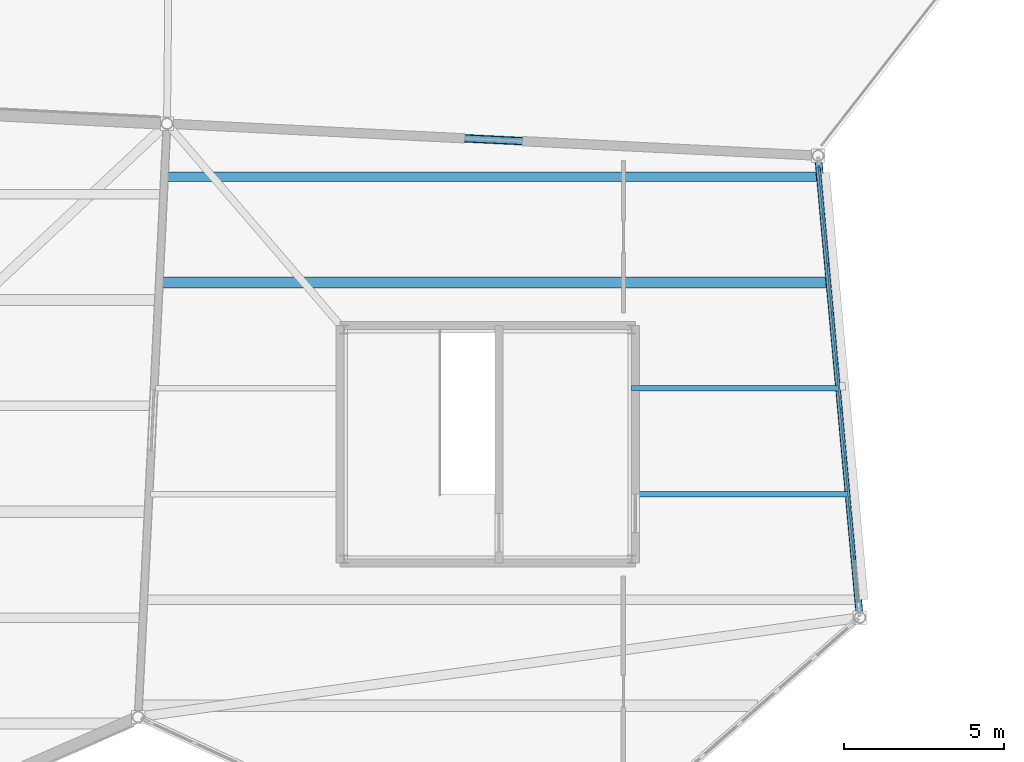
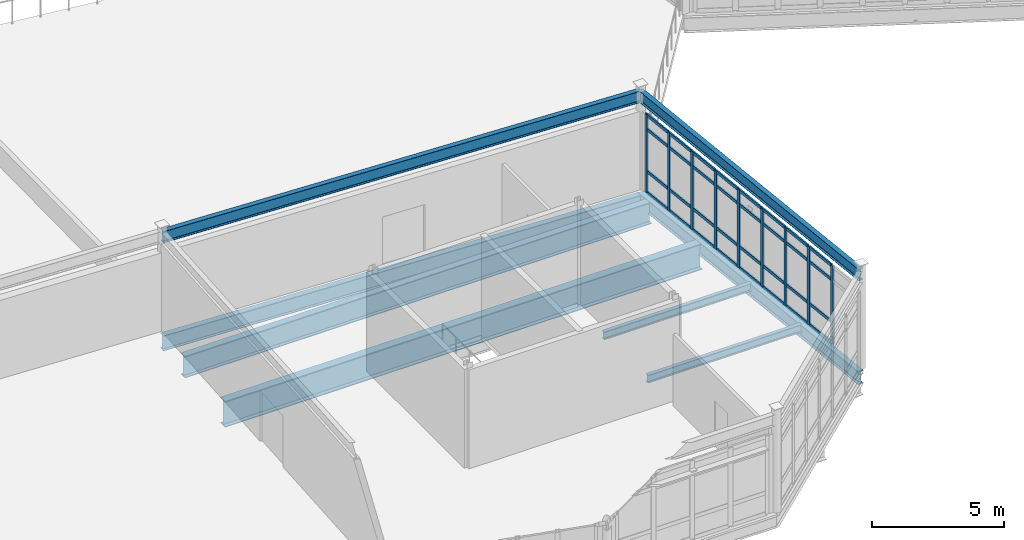
# One storey, part 25 of 114: 41 members, 8 beams, 1 element without a shape of its own.
"""IFC4 building model written with IfcOpenShell, lengths in metres."""

from ifc_helpers import new_model, si_unit, direction, frame, origin, origin_2d, place, context, subcontext, project, spatial, rectangle, i_section, extrude, material, material_profile, profile_set, type_object, element, aggregate, save


model = new_model("IFC4")

# Units and contexts
model_context = context("Model", 3, precision=1e-05, world=origin(), true_north=direction((0.0, 1.0)))
body_context = subcontext(model_context, "Body", "Model", "MODEL_VIEW")
ifc_project = project(units=[si_unit("LENGTHUNIT", "METRE"), si_unit("AREAUNIT", "SQUARE_METRE"), si_unit("VOLUMEUNIT", "CUBIC_METRE"), si_unit("PLANEANGLEUNIT", "RADIAN"), si_unit("MASSUNIT", "GRAM", prefix="KILO")], contexts=[model_context])

# Site, building, storey
site_placement = place(None, origin())
site = spatial("IfcSite", under=ifc_project, at=site_placement, CompositionType="ELEMENT")
building_placement = place(site_placement, origin())
building = spatial("IfcBuilding", under=site, at=building_placement, Name="Tameran Prism Museum", CompositionType="ELEMENT")
storey_placement = place(building_placement, frame((0.0, 0.0, 10.199951171875)))
storey = spatial("IfcBuildingStorey", under=building, at=storey_placement, Name="L02", CompositionType="ELEMENT", Elevation=10.199951171875)

# Beams
ifc_material_1 = material(Name="Steel Grade 300PLUS (300 MPa)", Category="steel")
ifc_material_profile_1 = material_profile(ifc_material_1, i_section(OverallWidth=0.172119140625, OverallDepth=0.35888671875, WebThickness=0.008056640625, FlangeThickness=0.012939453125, FilletRadius=0.011474609375, at=origin_2d()))
ifc_profile_set_1 = profile_set([ifc_material_profile_1])
beam_type_1 = type_object("IfcBeamType", Name="BM-J360A", PredefinedType="JOIST", material=ifc_profile_set_1)
beam_1_placement = place(storey_placement, frame((37.97998046875, 13.75, -0.37939453125), z_axis=(1.0, 0.0, 0.0), x_axis=(0.0, 1.0, 0.0)))
element("IfcBeam", 1, at=beam_1_placement, inside=storey, type_object=beam_type_1, Name="Floor Beam BM-0902", PredefinedType="JOIST", context=body_context, shape_type="SweptSolid", body=[
    extrude(i_section(OverallWidth=0.172119140625, OverallDepth=0.35888671875, WebThickness=0.008056640625, FlangeThickness=0.012939453125, FilletRadius=0.011474609375, at=origin_2d()), origin(), (0.0, 0.0, 1.0), 6.43408203125),
])
ifc_material_2 = material(Name="Steel Grade 300PLUS (300 MPa)", Category="steel")
ifc_material_profile_2 = material_profile(ifc_material_2, i_section(OverallWidth=0.1708984375, OverallDepth=0.35595703125, WebThickness=0.00732421875, FlangeThickness=0.011474609375, FilletRadius=0.011474609375, at=origin_2d()))
ifc_profile_set_2 = profile_set([ifc_material_profile_2])
beam_type_2 = type_object("IfcBeamType", Name="BM-J360B", PredefinedType="JOIST", material=ifc_profile_set_2)
beam_2_placement = place(storey_placement, frame((37.97998046875, 10.449951171875, -0.3779296875), z_axis=(1.0, 0.0, 0.0), x_axis=(0.0, 1.0, 0.0)))
element("IfcBeam", 2, at=beam_2_placement, inside=storey, type_object=beam_type_2, Name="Floor Beam BM-0900", PredefinedType="JOIST", context=body_context, shape_type="SweptSolid", body=[
    extrude(i_section(OverallWidth=0.1708984375, OverallDepth=0.35595703125, WebThickness=0.00732421875, FlangeThickness=0.011474609375, FilletRadius=0.011474609375, at=origin_2d()), origin(), (0.0, 0.0, 1.0), 6.73193359375),
])
ifc_material_3 = material(Name="Steel Grade 300PLUS (300 MPa)", Category="steel")
ifc_material_profile_3 = material_profile(ifc_material_3, i_section(OverallWidth=0.208984375, OverallDepth=0.528076171875, WebThickness=0.009521484375, FlangeThickness=0.01318359375, FilletRadius=0.013916015625, at=origin_2d()))
ifc_profile_set_3 = profile_set([ifc_material_profile_3])
beam_type_3 = type_object("IfcBeamType", Name="BM-SP530B", PredefinedType="SPANDREL", material=ifc_profile_set_3)
beam_3_placement = place(storey_placement, frame((45.10009765625, 6.60009765625, 4.256103515625), z_axis=(-0.089916080565, 0.995949345326, 0.0), x_axis=(-0.995949345326, -0.089916080565, 0.0)))
element("IfcBeam", 3, at=beam_3_placement, inside=storey, type_object=beam_type_3, Name="Roof Ring Beam RB-0726", PredefinedType="SPANDREL", context=body_context, shape_type="SweptSolid", body=[
    extrude(i_section(OverallWidth=0.208984375, OverallDepth=0.528076171875, WebThickness=0.009521484375, FlangeThickness=0.01318359375, FilletRadius=0.013916015625, at=origin_2d()), origin(), (0.0, 0.0, 1.0), 14.45849609375),
])
beam_4_placement = place(storey_placement, frame((43.800048828125, 21.0, 4.256103515625), z_axis=(-0.998788882418, 0.049201304434, 0.0), x_axis=(-0.049201304434, -0.998788882418, 0.0)))
element("IfcBeam", 4, at=beam_4_placement, inside=storey, type_object=beam_type_3, Name="Roof Ring Beam RB-0727", PredefinedType="SPANDREL", context=body_context, shape_type="SweptSolid", body=[
    extrude(i_section(OverallWidth=0.208984375, OverallDepth=0.528076171875, WebThickness=0.009521484375, FlangeThickness=0.01318359375, FilletRadius=0.013916015625, at=origin_2d()), origin(), (0.0, 0.0, 1.0), 20.32470703125),
])
ifc_material_4 = material(Name="Steel Grade 300PLUS (300 MPa)", Category="steel")
ifc_material_profile_4 = material_profile(ifc_material_4, i_section(OverallWidth=0.22802734375, OverallDepth=0.60205078125, WebThickness=0.010498046875, FlangeThickness=0.014892578125, FilletRadius=0.013916015625, at=origin_2d()))
ifc_profile_set_4 = profile_set([ifc_material_profile_4])
beam_type_4 = type_object("IfcBeamType", Name="BM-SP610", PredefinedType="SPANDREL", material=ifc_profile_set_4)
beam_5_placement = place(storey_placement, frame((45.10009765625, 6.60009765625, -0.5009765625), z_axis=(-0.089916080565, 0.995949345326, 0.0), x_axis=(-0.995949345326, -0.089916080565, 0.0)))
element("IfcBeam", 5, at=beam_5_placement, inside=storey, type_object=beam_type_4, Name="Perimeter Spandrel SP-0721", PredefinedType="SPANDREL", context=body_context, shape_type="SweptSolid", body=[
    extrude(i_section(OverallWidth=0.22802734375, OverallDepth=0.60205078125, WebThickness=0.010498046875, FlangeThickness=0.014892578125, FilletRadius=0.013916015625, at=origin_2d()), origin(), (0.0, 0.0, 1.0), 14.45849609375),
])
ifc_material_5 = material(Name="Steel Grade 350 (350 MPa)", Category="steel")
ifc_material_profile_5 = material_profile(ifc_material_5, i_section(OverallWidth=0.25, OverallDepth=0.699951171875, WebThickness=0.010009765625, FlangeThickness=0.02001953125, at=origin_2d()))
ifc_profile_set_5 = profile_set([ifc_material_profile_5])
beam_type_5 = type_object("IfcBeamType", Name="BM-SP700", PredefinedType="SPANDREL", material=ifc_profile_set_5)
beam_6_placement = place(storey_placement, frame((43.800048828125, 21.0, -0.6298828125), z_axis=(-0.998788882418, 0.049201304434, 0.0), x_axis=(-0.049201304434, -0.998788882418, 0.0)))
element("IfcBeam", 6, at=beam_6_placement, inside=storey, type_object=beam_type_5, Name="Perimeter Spandrel SP-0722", PredefinedType="SPANDREL", context=body_context, shape_type="SweptSolid", body=[
    extrude(i_section(OverallWidth=0.25, OverallDepth=0.699951171875, WebThickness=0.010009765625, FlangeThickness=0.02001953125, at=origin_2d()), origin(), (0.0, 0.0, 1.0), 20.32470703125),
])
ifc_material_6 = material(Name="Steel Grade 350 (350 MPa)", Category="steel")
ifc_material_profile_6 = material_profile(ifc_material_6, i_section(OverallWidth=0.300048828125, OverallDepth=1.0, WebThickness=0.01611328125, FlangeThickness=0.031982421875, at=origin_2d()))
ifc_profile_set_6 = profile_set([ifc_material_profile_6])
beam_type_6 = type_object("IfcBeamType", Name="BM-WB1000", PredefinedType="BEAM", material=ifc_profile_set_6)
beam_7_placement = place(storey_placement, frame((23.4599609375, 20.35009765625, -0.699951171875), z_axis=(1.0, 0.0, 0.0), x_axis=(0.0, 1.0, 0.0)))
element("IfcBeam", 7, at=beam_7_placement, inside=storey, type_object=beam_type_6, Name="Floor Beam BM-0904", PredefinedType="BEAM", context=body_context, shape_type="SweptSolid", body=[
    extrude(i_section(OverallWidth=0.300048828125, OverallDepth=1.0, WebThickness=0.01611328125, FlangeThickness=0.031982421875, at=origin_2d()), origin(), (0.0, 0.0, 1.0), 20.359130859375),
])
ifc_material_7 = material(Name="Steel Grade 350 (350 MPa)", Category="steel")
ifc_material_profile_7 = material_profile(ifc_material_7, i_section(OverallWidth=0.35009765625, OverallDepth=1.199951171875, WebThickness=0.01611328125, FlangeThickness=0.035888671875, at=origin_2d()))
ifc_profile_set_7 = profile_set([ifc_material_profile_7])
beam_type_7 = type_object("IfcBeamType", Name="BM-WB1200", PredefinedType="BEAM", material=ifc_profile_set_7)
beam_8_placement = place(storey_placement, frame((23.299072265625, 17.050048828125, -0.800048828125), z_axis=(1.0, 0.0, 0.0), x_axis=(0.0, 1.0, 0.0)))
element("IfcBeam", 8, at=beam_8_placement, inside=storey, type_object=beam_type_7, Name="Floor Beam BM-0903", PredefinedType="BEAM", context=body_context, shape_type="SweptSolid", body=[
    extrude(i_section(OverallWidth=0.35009765625, OverallDepth=1.199951171875, WebThickness=0.01611328125, FlangeThickness=0.035888671875, at=origin_2d()), origin(), (0.0, 0.0, 1.0), 20.81689453125),
])

# Curtain wall, members
ifc_material_8 = material(Name="Anodised Aluminium 6063-T6 and Cyclone Solar Glass", Category="aluminium")
curtain_wall_type = type_object("IfcCurtainWallType", Name="CW-FAC-1376x362", PredefinedType="USERDEFINED", material=ifc_material_8)
curtain_wall_placement = place(storey_placement, origin())
curtain_wall = element("IfcCurtainWall", 9, at=curtain_wall_placement, inside=storey, type_object=curtain_wall_type, Name="Unitised Curtain Wall CW-123", ObjectType="UNITISED CURTAIN WALL", PredefinedType="USERDEFINED")
ifc_material_9 = material(Name="Anodised Aluminium Alloy 6063-T6", Category="aluminium")
ifc_material_profile_8 = material_profile(ifc_material_9, rectangle(XDim=0.06494140625, YDim=0.159912109375, at=origin_2d()))
ifc_profile_set_8 = profile_set([ifc_material_profile_8])
member_type_1 = type_object("IfcMemberType", Name="CW-MUL-A", PredefinedType="MULLION", material=ifc_profile_set_8)
member_1_placement = place(storey_placement, frame((43.833984375, 20.61865234375, 0.0), z_axis=(0.0, 0.0, 1.0), x_axis=(0.995943100389, 0.089985225386, 0.0)))
member_1 = element("IfcMember", 10, at=member_1_placement, type_object=member_type_1, Name="CW-123 mullion 1", PredefinedType="MULLION", context=body_context, shape_type="SweptSolid", body=[
    extrude(rectangle(XDim=0.06494140625, YDim=0.159912109375, at=origin_2d()), origin(), (0.0, 0.0, 1.0), 3.6201171875),
])
member_2_placement = place(storey_placement, frame((43.968505859375, 19.128662109375, 0.0), z_axis=(0.0, 0.0, 1.0), x_axis=(0.995943100389, 0.089985225386, 0.0)))
member_2 = element("IfcMember", 11, at=member_2_placement, type_object=member_type_1, Name="CW-123 mullion 2", PredefinedType="MULLION", context=body_context, shape_type="SweptSolid", body=[
    extrude(rectangle(XDim=0.06494140625, YDim=0.159912109375, at=origin_2d()), origin(), (0.0, 0.0, 1.0), 3.6201171875),
])
member_3_placement = place(storey_placement, frame((44.106201171875, 17.606201171875, 0.0), z_axis=(0.0, 0.0, 1.0), x_axis=(0.995943100389, 0.089985225386, 0.0)))
member_3 = element("IfcMember", 12, at=member_3_placement, type_object=member_type_1, Name="CW-123 mullion 3", PredefinedType="MULLION", context=body_context, shape_type="SweptSolid", body=[
    extrude(rectangle(XDim=0.06494140625, YDim=0.159912109375, at=origin_2d()), origin(), (0.0, 0.0, 1.0), 3.6201171875),
])
member_4_placement = place(storey_placement, frame((44.24365234375, 16.083740234375, 0.0), z_axis=(0.0, 0.0, 1.0), x_axis=(0.995943100389, 0.089985225386, 0.0)))
member_4 = element("IfcMember", 13, at=member_4_placement, type_object=member_type_1, Name="CW-123 mullion 4", PredefinedType="MULLION", context=body_context, shape_type="SweptSolid", body=[
    extrude(rectangle(XDim=0.06494140625, YDim=0.159912109375, at=origin_2d()), origin(), (0.0, 0.0, 1.0), 3.6201171875),
])
member_5_placement = place(storey_placement, frame((44.381103515625, 14.561279296875, 0.0), z_axis=(0.0, 0.0, 1.0), x_axis=(0.995943100389, 0.089985225386, 0.0)))
member_5 = element("IfcMember", 14, at=member_5_placement, type_object=member_type_1, Name="CW-123 mullion 5", PredefinedType="MULLION", context=body_context, shape_type="SweptSolid", body=[
    extrude(rectangle(XDim=0.06494140625, YDim=0.159912109375, at=origin_2d()), origin(), (0.0, 0.0, 1.0), 3.6201171875),
])
member_6_placement = place(storey_placement, frame((44.518798828125, 13.038818359375, 0.0), z_axis=(0.0, 0.0, 1.0), x_axis=(0.995943100389, 0.089985225386, 0.0)))
member_6 = element("IfcMember", 15, at=member_6_placement, type_object=member_type_1, Name="CW-123 mullion 6", PredefinedType="MULLION", context=body_context, shape_type="SweptSolid", body=[
    extrude(rectangle(XDim=0.06494140625, YDim=0.159912109375, at=origin_2d()), origin(), (0.0, 0.0, 1.0), 3.6201171875),
])
member_7_placement = place(storey_placement, frame((44.65625, 11.516357421875, 0.0), z_axis=(0.0, 0.0, 1.0), x_axis=(0.995943100389, 0.089985225386, 0.0)))
member_7 = element("IfcMember", 16, at=member_7_placement, type_object=member_type_1, Name="CW-123 mullion 7", PredefinedType="MULLION", context=body_context, shape_type="SweptSolid", body=[
    extrude(rectangle(XDim=0.06494140625, YDim=0.159912109375, at=origin_2d()), origin(), (0.0, 0.0, 1.0), 3.6201171875),
])
member_8_placement = place(storey_placement, frame((44.7939453125, 9.993896484375, 0.0), z_axis=(0.0, 0.0, 1.0), x_axis=(0.995943100389, 0.089985225386, 0.0)))
member_8 = element("IfcMember", 17, at=member_8_placement, type_object=member_type_1, Name="CW-123 mullion 8", PredefinedType="MULLION", context=body_context, shape_type="SweptSolid", body=[
    extrude(rectangle(XDim=0.06494140625, YDim=0.159912109375, at=origin_2d()), origin(), (0.0, 0.0, 1.0), 3.6201171875),
])
member_9_placement = place(storey_placement, frame((44.931396484375, 8.471435546875, 0.0), z_axis=(0.0, 0.0, 1.0), x_axis=(0.995943100389, 0.089985225386, 0.0)))
member_9 = element("IfcMember", 18, at=member_9_placement, type_object=member_type_1, Name="CW-123 mullion 9", PredefinedType="MULLION", context=body_context, shape_type="SweptSolid", body=[
    extrude(rectangle(XDim=0.06494140625, YDim=0.159912109375, at=origin_2d()), origin(), (0.0, 0.0, 1.0), 3.6201171875),
])
ifc_material_10 = material(Name="Anodised Aluminium Alloy 6063-T6", Category="aluminium")
ifc_material_profile_9 = material_profile(ifc_material_10, rectangle(XDim=0.06494140625, YDim=0.139892578125, at=origin_2d()))
ifc_profile_set_9 = profile_set([ifc_material_profile_9])
member_type_2 = type_object("IfcMemberType", Name="CW-TRN-A", PredefinedType="USERDEFINED", material=ifc_profile_set_9)
member_10_placement = place(storey_placement, frame((43.8369140625, 20.586181640625, 0.032470703125), z_axis=(0.089905075125, -0.995950338856, 0.0), x_axis=(0.995950338856, 0.089905075125, 0.0)))
member_10 = element("IfcMember", 19, at=member_10_placement, type_object=member_type_2, Name="CW-123 transom 1.1", ObjectType="TRANSOM", PredefinedType="USERDEFINED", context=body_context, shape_type="SweptSolid", body=[
    extrude(rectangle(XDim=0.06494140625, YDim=0.139892578125, at=origin_2d()), origin(), (0.0, 0.0, 1.0), 1.43115234375),
])
member_11_placement = place(storey_placement, frame((43.8369140625, 20.586181640625, 1.0), z_axis=(0.089905075125, -0.995950338856, 0.0), x_axis=(0.995950338856, 0.089905075125, 0.0)))
member_11 = element("IfcMember", 20, at=member_11_placement, type_object=member_type_2, Name="CW-123 transom 1.2", ObjectType="TRANSOM", PredefinedType="USERDEFINED", context=body_context, shape_type="SweptSolid", body=[
    extrude(rectangle(XDim=0.06494140625, YDim=0.139892578125, at=origin_2d()), origin(), (0.0, 0.0, 1.0), 1.43115234375),
])
member_12_placement = place(storey_placement, frame((43.8369140625, 20.586181640625, 2.93994140625), z_axis=(0.089905075125, -0.995950338856, 0.0), x_axis=(0.995950338856, 0.089905075125, 0.0)))
member_12 = element("IfcMember", 21, at=member_12_placement, type_object=member_type_2, Name="CW-123 transom 1.3", ObjectType="TRANSOM", PredefinedType="USERDEFINED", context=body_context, shape_type="SweptSolid", body=[
    extrude(rectangle(XDim=0.06494140625, YDim=0.139892578125, at=origin_2d()), origin(), (0.0, 0.0, 1.0), 1.43115234375),
])
member_13_placement = place(storey_placement, frame((43.8369140625, 20.586181640625, 3.587646484375), z_axis=(0.089905075125, -0.995950338856, 0.0), x_axis=(0.995950338856, 0.089905075125, 0.0)))
member_13 = element("IfcMember", 22, at=member_13_placement, type_object=member_type_2, Name="CW-123 transom 1.4", ObjectType="TRANSOM", PredefinedType="USERDEFINED", context=body_context, shape_type="SweptSolid", body=[
    extrude(rectangle(XDim=0.06494140625, YDim=0.139892578125, at=origin_2d()), origin(), (0.0, 0.0, 1.0), 1.43115234375),
])
member_14_placement = place(storey_placement, frame((43.971435546875, 19.09619140625, 0.032470703125), z_axis=(0.090069529239, -0.995935479789, 0.0), x_axis=(0.995935479789, 0.090069529239, 0.0)))
member_14 = element("IfcMember", 23, at=member_14_placement, type_object=member_type_2, Name="CW-123 transom 2.1", ObjectType="TRANSOM", PredefinedType="USERDEFINED", context=body_context, shape_type="SweptSolid", body=[
    extrude(rectangle(XDim=0.06494140625, YDim=0.139892578125, at=origin_2d()), origin(), (0.0, 0.0, 1.0), 1.463623046875),
])
member_15_placement = place(storey_placement, frame((43.971435546875, 19.09619140625, 1.0), z_axis=(0.090069529239, -0.995935479789, 0.0), x_axis=(0.995935479789, 0.090069529239, 0.0)))
member_15 = element("IfcMember", 24, at=member_15_placement, type_object=member_type_2, Name="CW-123 transom 2.2", ObjectType="TRANSOM", PredefinedType="USERDEFINED", context=body_context, shape_type="SweptSolid", body=[
    extrude(rectangle(XDim=0.06494140625, YDim=0.139892578125, at=origin_2d()), origin(), (0.0, 0.0, 1.0), 1.463623046875),
])
member_16_placement = place(storey_placement, frame((43.971435546875, 19.09619140625, 2.93994140625), z_axis=(0.090069529239, -0.995935479789, 0.0), x_axis=(0.995935479789, 0.090069529239, 0.0)))
member_16 = element("IfcMember", 25, at=member_16_placement, type_object=member_type_2, Name="CW-123 transom 2.3", ObjectType="TRANSOM", PredefinedType="USERDEFINED", context=body_context, shape_type="SweptSolid", body=[
    extrude(rectangle(XDim=0.06494140625, YDim=0.139892578125, at=origin_2d()), origin(), (0.0, 0.0, 1.0), 1.463623046875),
])
member_17_placement = place(storey_placement, frame((43.971435546875, 19.09619140625, 3.587646484375), z_axis=(0.090069529239, -0.995935479789, 0.0), x_axis=(0.995935479789, 0.090069529239, 0.0)))
member_17 = element("IfcMember", 26, at=member_17_placement, type_object=member_type_2, Name="CW-123 transom 2.4", ObjectType="TRANSOM", PredefinedType="USERDEFINED", context=body_context, shape_type="SweptSolid", body=[
    extrude(rectangle(XDim=0.06494140625, YDim=0.139892578125, at=origin_2d()), origin(), (0.0, 0.0, 1.0), 1.463623046875),
])
member_18_placement = place(storey_placement, frame((44.109130859375, 17.57373046875, 0.032470703125), z_axis=(0.08990408322, -0.995950428395, 0.0), x_axis=(0.995950428395, 0.08990408322, 0.0)))
member_18 = element("IfcMember", 27, at=member_18_placement, type_object=member_type_2, Name="CW-123 transom 3.1", ObjectType="TRANSOM", PredefinedType="USERDEFINED", context=body_context, shape_type="SweptSolid", body=[
    extrude(rectangle(XDim=0.06494140625, YDim=0.139892578125, at=origin_2d()), origin(), (0.0, 0.0, 1.0), 1.463623046875),
])
member_19_placement = place(storey_placement, frame((44.109130859375, 17.57373046875, 1.0), z_axis=(0.08990408322, -0.995950428395, 0.0), x_axis=(0.995950428395, 0.08990408322, 0.0)))
member_19 = element("IfcMember", 28, at=member_19_placement, type_object=member_type_2, Name="CW-123 transom 3.2", ObjectType="TRANSOM", PredefinedType="USERDEFINED", context=body_context, shape_type="SweptSolid", body=[
    extrude(rectangle(XDim=0.06494140625, YDim=0.139892578125, at=origin_2d()), origin(), (0.0, 0.0, 1.0), 1.463623046875),
])
member_20_placement = place(storey_placement, frame((44.109130859375, 17.57373046875, 2.93994140625), z_axis=(0.08990408322, -0.995950428395, 0.0), x_axis=(0.995950428395, 0.08990408322, 0.0)))
member_20 = element("IfcMember", 29, at=member_20_placement, type_object=member_type_2, Name="CW-123 transom 3.3", ObjectType="TRANSOM", PredefinedType="USERDEFINED", context=body_context, shape_type="SweptSolid", body=[
    extrude(rectangle(XDim=0.06494140625, YDim=0.139892578125, at=origin_2d()), origin(), (0.0, 0.0, 1.0), 1.463623046875),
])
member_21_placement = place(storey_placement, frame((44.109130859375, 17.57373046875, 3.587646484375), z_axis=(0.08990408322, -0.995950428395, 0.0), x_axis=(0.995950428395, 0.08990408322, 0.0)))
member_21 = element("IfcMember", 30, at=member_21_placement, type_object=member_type_2, Name="CW-123 transom 3.4", ObjectType="TRANSOM", PredefinedType="USERDEFINED", context=body_context, shape_type="SweptSolid", body=[
    extrude(rectangle(XDim=0.06494140625, YDim=0.139892578125, at=origin_2d()), origin(), (0.0, 0.0, 1.0), 1.463623046875),
])
member_22_placement = place(storey_placement, frame((44.24658203125, 16.05126953125, 0.032470703125), z_axis=(0.090069529239, -0.995935479789, 0.0), x_axis=(0.995935479789, 0.090069529239, 0.0)))
member_22 = element("IfcMember", 31, at=member_22_placement, type_object=member_type_2, Name="CW-123 transom 4.1", ObjectType="TRANSOM", PredefinedType="USERDEFINED", context=body_context, shape_type="SweptSolid", body=[
    extrude(rectangle(XDim=0.06494140625, YDim=0.139892578125, at=origin_2d()), origin(), (0.0, 0.0, 1.0), 1.463623046875),
])
member_23_placement = place(storey_placement, frame((44.24658203125, 16.05126953125, 1.0), z_axis=(0.090069529239, -0.995935479789, 0.0), x_axis=(0.995935479789, 0.090069529239, 0.0)))
member_23 = element("IfcMember", 32, at=member_23_placement, type_object=member_type_2, Name="CW-123 transom 4.2", ObjectType="TRANSOM", PredefinedType="USERDEFINED", context=body_context, shape_type="SweptSolid", body=[
    extrude(rectangle(XDim=0.06494140625, YDim=0.139892578125, at=origin_2d()), origin(), (0.0, 0.0, 1.0), 1.463623046875),
])
member_24_placement = place(storey_placement, frame((44.24658203125, 16.05126953125, 2.93994140625), z_axis=(0.090069529239, -0.995935479789, 0.0), x_axis=(0.995935479789, 0.090069529239, 0.0)))
member_24 = element("IfcMember", 33, at=member_24_placement, type_object=member_type_2, Name="CW-123 transom 4.3", ObjectType="TRANSOM", PredefinedType="USERDEFINED", context=body_context, shape_type="SweptSolid", body=[
    extrude(rectangle(XDim=0.06494140625, YDim=0.139892578125, at=origin_2d()), origin(), (0.0, 0.0, 1.0), 1.463623046875),
])
member_25_placement = place(storey_placement, frame((44.24658203125, 16.05126953125, 3.587646484375), z_axis=(0.090069529239, -0.995935479789, 0.0), x_axis=(0.995935479789, 0.090069529239, 0.0)))
member_25 = element("IfcMember", 34, at=member_25_placement, type_object=member_type_2, Name="CW-123 transom 4.4", ObjectType="TRANSOM", PredefinedType="USERDEFINED", context=body_context, shape_type="SweptSolid", body=[
    extrude(rectangle(XDim=0.06494140625, YDim=0.139892578125, at=origin_2d()), origin(), (0.0, 0.0, 1.0), 1.463623046875),
])
member_26_placement = place(storey_placement, frame((44.384033203125, 14.52880859375, 0.032470703125), z_axis=(0.090069529239, -0.995935479789, 0.0), x_axis=(0.995935479789, 0.090069529239, 0.0)))
member_26 = element("IfcMember", 35, at=member_26_placement, type_object=member_type_2, Name="CW-123 transom 5.1", ObjectType="TRANSOM", PredefinedType="USERDEFINED", context=body_context, shape_type="SweptSolid", body=[
    extrude(rectangle(XDim=0.06494140625, YDim=0.139892578125, at=origin_2d()), origin(), (0.0, 0.0, 1.0), 1.463623046875),
])
member_27_placement = place(storey_placement, frame((44.384033203125, 14.52880859375, 1.0), z_axis=(0.090069529239, -0.995935479789, 0.0), x_axis=(0.995935479789, 0.090069529239, 0.0)))
member_27 = element("IfcMember", 36, at=member_27_placement, type_object=member_type_2, Name="CW-123 transom 5.2", ObjectType="TRANSOM", PredefinedType="USERDEFINED", context=body_context, shape_type="SweptSolid", body=[
    extrude(rectangle(XDim=0.06494140625, YDim=0.139892578125, at=origin_2d()), origin(), (0.0, 0.0, 1.0), 1.463623046875),
])
member_28_placement = place(storey_placement, frame((44.384033203125, 14.52880859375, 2.93994140625), z_axis=(0.090069529239, -0.995935479789, 0.0), x_axis=(0.995935479789, 0.090069529239, 0.0)))
member_28 = element("IfcMember", 37, at=member_28_placement, type_object=member_type_2, Name="CW-123 transom 5.3", ObjectType="TRANSOM", PredefinedType="USERDEFINED", context=body_context, shape_type="SweptSolid", body=[
    extrude(rectangle(XDim=0.06494140625, YDim=0.139892578125, at=origin_2d()), origin(), (0.0, 0.0, 1.0), 1.463623046875),
])
member_29_placement = place(storey_placement, frame((44.384033203125, 14.52880859375, 3.587646484375), z_axis=(0.090069529239, -0.995935479789, 0.0), x_axis=(0.995935479789, 0.090069529239, 0.0)))
member_29 = element("IfcMember", 38, at=member_29_placement, type_object=member_type_2, Name="CW-123 transom 5.4", ObjectType="TRANSOM", PredefinedType="USERDEFINED", context=body_context, shape_type="SweptSolid", body=[
    extrude(rectangle(XDim=0.06494140625, YDim=0.139892578125, at=origin_2d()), origin(), (0.0, 0.0, 1.0), 1.463623046875),
])
member_30_placement = place(storey_placement, frame((44.521728515625, 13.00634765625, 0.032470703125), z_axis=(0.08990408322, -0.995950428395, 0.0), x_axis=(0.995950428395, 0.08990408322, 0.0)))
member_30 = element("IfcMember", 39, at=member_30_placement, type_object=member_type_2, Name="CW-123 transom 6.1", ObjectType="TRANSOM", PredefinedType="USERDEFINED", context=body_context, shape_type="SweptSolid", body=[
    extrude(rectangle(XDim=0.06494140625, YDim=0.139892578125, at=origin_2d()), origin(), (0.0, 0.0, 1.0), 1.463623046875),
])
member_31_placement = place(storey_placement, frame((44.521728515625, 13.00634765625, 1.0), z_axis=(0.08990408322, -0.995950428395, 0.0), x_axis=(0.995950428395, 0.08990408322, 0.0)))
member_31 = element("IfcMember", 40, at=member_31_placement, type_object=member_type_2, Name="CW-123 transom 6.2", ObjectType="TRANSOM", PredefinedType="USERDEFINED", context=body_context, shape_type="SweptSolid", body=[
    extrude(rectangle(XDim=0.06494140625, YDim=0.139892578125, at=origin_2d()), origin(), (0.0, 0.0, 1.0), 1.463623046875),
])
member_32_placement = place(storey_placement, frame((44.521728515625, 13.00634765625, 2.93994140625), z_axis=(0.08990408322, -0.995950428395, 0.0), x_axis=(0.995950428395, 0.08990408322, 0.0)))
member_32 = element("IfcMember", 41, at=member_32_placement, type_object=member_type_2, Name="CW-123 transom 6.3", ObjectType="TRANSOM", PredefinedType="USERDEFINED", context=body_context, shape_type="SweptSolid", body=[
    extrude(rectangle(XDim=0.06494140625, YDim=0.139892578125, at=origin_2d()), origin(), (0.0, 0.0, 1.0), 1.463623046875),
])
member_33_placement = place(storey_placement, frame((44.521728515625, 13.00634765625, 3.587646484375), z_axis=(0.08990408322, -0.995950428395, 0.0), x_axis=(0.995950428395, 0.08990408322, 0.0)))
member_33 = element("IfcMember", 42, at=member_33_placement, type_object=member_type_2, Name="CW-123 transom 6.4", ObjectType="TRANSOM", PredefinedType="USERDEFINED", context=body_context, shape_type="SweptSolid", body=[
    extrude(rectangle(XDim=0.06494140625, YDim=0.139892578125, at=origin_2d()), origin(), (0.0, 0.0, 1.0), 1.463623046875),
])
member_34_placement = place(storey_placement, frame((44.6591796875, 11.48388671875, 0.032470703125), z_axis=(0.090084493838, -0.995934126321, 0.0), x_axis=(0.995934126321, 0.090084493838, 0.0)))
member_34 = element("IfcMember", 43, at=member_34_placement, type_object=member_type_2, Name="CW-123 transom 7.1", ObjectType="TRANSOM", PredefinedType="USERDEFINED", context=body_context, shape_type="SweptSolid", body=[
    extrude(rectangle(XDim=0.06494140625, YDim=0.139892578125, at=origin_2d()), origin(), (0.0, 0.0, 1.0), 1.46337890625),
])
member_35_placement = place(storey_placement, frame((44.6591796875, 11.48388671875, 1.0), z_axis=(0.090084493838, -0.995934126321, 0.0), x_axis=(0.995934126321, 0.090084493838, 0.0)))
member_35 = element("IfcMember", 44, at=member_35_placement, type_object=member_type_2, Name="CW-123 transom 7.2", ObjectType="TRANSOM", PredefinedType="USERDEFINED", context=body_context, shape_type="SweptSolid", body=[
    extrude(rectangle(XDim=0.06494140625, YDim=0.139892578125, at=origin_2d()), origin(), (0.0, 0.0, 1.0), 1.46337890625),
])
member_36_placement = place(storey_placement, frame((44.6591796875, 11.48388671875, 2.93994140625), z_axis=(0.090084493838, -0.995934126321, 0.0), x_axis=(0.995934126321, 0.090084493838, 0.0)))
member_36 = element("IfcMember", 45, at=member_36_placement, type_object=member_type_2, Name="CW-123 transom 7.3", ObjectType="TRANSOM", PredefinedType="USERDEFINED", context=body_context, shape_type="SweptSolid", body=[
    extrude(rectangle(XDim=0.06494140625, YDim=0.139892578125, at=origin_2d()), origin(), (0.0, 0.0, 1.0), 1.46337890625),
])
member_37_placement = place(storey_placement, frame((44.6591796875, 11.48388671875, 3.587646484375), z_axis=(0.090084493838, -0.995934126321, 0.0), x_axis=(0.995934126321, 0.090084493838, 0.0)))
member_37 = element("IfcMember", 46, at=member_37_placement, type_object=member_type_2, Name="CW-123 transom 7.4", ObjectType="TRANSOM", PredefinedType="USERDEFINED", context=body_context, shape_type="SweptSolid", body=[
    extrude(rectangle(XDim=0.06494140625, YDim=0.139892578125, at=origin_2d()), origin(), (0.0, 0.0, 1.0), 1.46337890625),
])
member_38_placement = place(storey_placement, frame((44.796875, 9.96142578125, 0.032470703125), z_axis=(0.089919020779, -0.995949079874, 0.0), x_axis=(0.995949079874, 0.089919020779, 0.0)))
member_38 = element("IfcMember", 47, at=member_38_placement, type_object=member_type_2, Name="CW-123 transom 8.1", ObjectType="TRANSOM", PredefinedType="USERDEFINED", context=body_context, shape_type="SweptSolid", body=[
    extrude(rectangle(XDim=0.06494140625, YDim=0.139892578125, at=origin_2d()), origin(), (0.0, 0.0, 1.0), 1.46337890625),
])
member_39_placement = place(storey_placement, frame((44.796875, 9.96142578125, 1.0), z_axis=(0.089919020779, -0.995949079874, 0.0), x_axis=(0.995949079874, 0.089919020779, 0.0)))
member_39 = element("IfcMember", 48, at=member_39_placement, type_object=member_type_2, Name="CW-123 transom 8.2", ObjectType="TRANSOM", PredefinedType="USERDEFINED", context=body_context, shape_type="SweptSolid", body=[
    extrude(rectangle(XDim=0.06494140625, YDim=0.139892578125, at=origin_2d()), origin(), (0.0, 0.0, 1.0), 1.46337890625),
])
member_40_placement = place(storey_placement, frame((44.796875, 9.96142578125, 2.93994140625), z_axis=(0.089919020779, -0.995949079874, 0.0), x_axis=(0.995949079874, 0.089919020779, 0.0)))
member_40 = element("IfcMember", 49, at=member_40_placement, type_object=member_type_2, Name="CW-123 transom 8.3", ObjectType="TRANSOM", PredefinedType="USERDEFINED", context=body_context, shape_type="SweptSolid", body=[
    extrude(rectangle(XDim=0.06494140625, YDim=0.139892578125, at=origin_2d()), origin(), (0.0, 0.0, 1.0), 1.46337890625),
])
member_41_placement = place(storey_placement, frame((44.796875, 9.96142578125, 3.587646484375), z_axis=(0.089919020779, -0.995949079874, 0.0), x_axis=(0.995949079874, 0.089919020779, 0.0)))
member_41 = element("IfcMember", 50, at=member_41_placement, type_object=member_type_2, Name="CW-123 transom 8.4", ObjectType="TRANSOM", PredefinedType="USERDEFINED", context=body_context, shape_type="SweptSolid", body=[
    extrude(rectangle(XDim=0.06494140625, YDim=0.139892578125, at=origin_2d()), origin(), (0.0, 0.0, 1.0), 1.46337890625),
])
aggregate(curtain_wall, [member_1, member_2, member_3, member_4, member_5, member_6, member_7, member_8, member_9, member_10, member_11, member_12, member_13, member_14, member_15, member_16, member_17, member_18, member_19, member_20, member_21, member_22, member_23, member_24, member_25, member_26, member_27, member_28, member_29, member_30, member_31, member_32, member_33, member_34, member_35, member_36, member_37, member_38, member_39, member_40, member_41])

save(model, "model.ifc")
